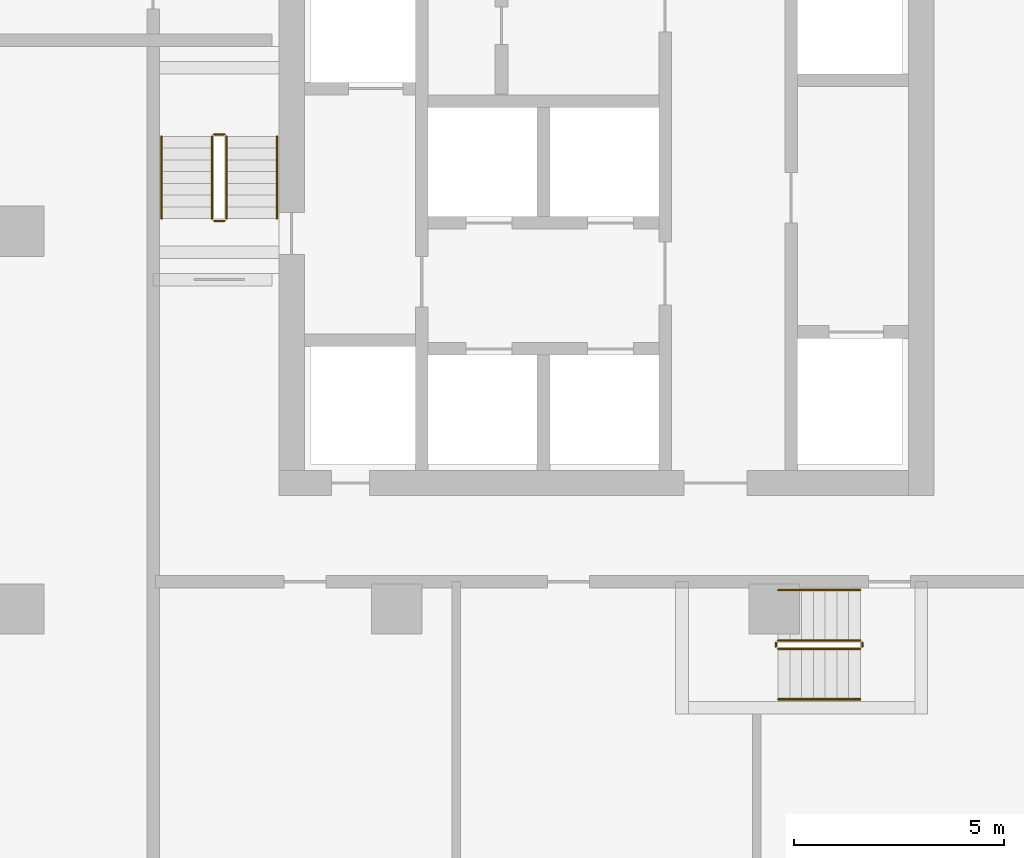
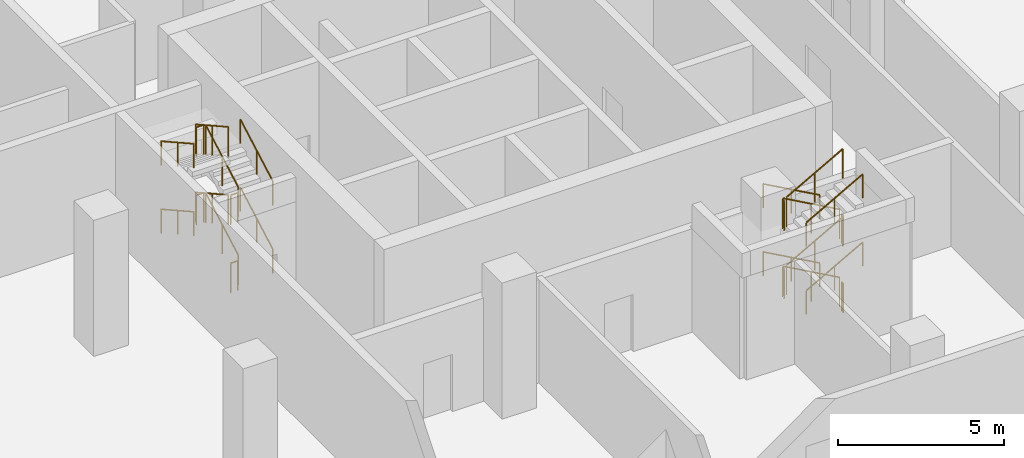
# One storey, part 32 of 33: 24 railings.
"""IFC4 building model written with IfcOpenShell, lengths in metres."""

from ifc_helpers import new_model, si_unit, direction, frame, origin, origin_2d, place, context, subcontext, project, spatial, circle, extrude, material, type_object, element, save


model = new_model("IFC4")

# Units and contexts
model_context = context("Model", 3, precision=1e-05, world=origin(), true_north=direction((0.0, 1.0)))
body_context = subcontext(model_context, "Body", "Model", "MODEL_VIEW")
ifc_project = project(units=[si_unit("LENGTHUNIT", "METRE"), si_unit("AREAUNIT", "SQUARE_METRE"), si_unit("VOLUMEUNIT", "CUBIC_METRE"), si_unit("PLANEANGLEUNIT", "RADIAN"), si_unit("MASSUNIT", "GRAM", prefix="KILO")], contexts=[model_context])

# Site, building, storey
site_placement = place(None, origin())
site = spatial("IfcSite", under=ifc_project, at=site_placement, CompositionType="ELEMENT")
building_placement = place(site_placement, origin())
building = spatial("IfcBuilding", under=site, at=building_placement, Name="Ogive Portal Towers", CompositionType="ELEMENT")
storey_placement = place(building_placement, frame((0.0, 0.0, 28.5)))
storey = spatial("IfcBuildingStorey", under=building, at=storey_placement, Name="L05", CompositionType="ELEMENT", Elevation=28.5)

# Railings
ifc_material_1 = material(Name="Stainless steel balustrade", Category="steel")
railing_type_1 = type_object("IfcRailingType", Name="INT-GUARD", PredefinedType="GUARDRAIL", material=ifc_material_1)
railing_1_placement = place(storey_placement, frame((127.449951171875, 30.800048828125, 0.15625)))
element("IfcRailing", 1, at=railing_1_placement, inside=storey, type_object=railing_type_1, Name="L05 ST-B1 stair guard 1", PredefinedType="GUARDRAIL", context=body_context, shape_type="SweptSolid", body=[
    extrude(circle(Radius=0.02392578125, at=origin_2d()), frame((0.0, 0.0, 1.076171875), z_axis=(0.0, 0.873232148454, 0.487304437602), x_axis=(-1.0, 0.0, 0.0)), (0.0, 0.0, 1.0), 2.244384765625),
    extrude(circle(Radius=0.02099609375, at=origin_2d()), origin(), (0.0, 0.0, 1.0), 1.052001953125),
    extrude(circle(Radius=0.02099609375, at=origin_2d()), frame((0.0, 0.97998046875, 0.546875)), (0.0, 0.0, 1.0), 1.052001953125),
    extrude(circle(Radius=0.02099609375, at=origin_2d()), frame((0.0, 1.9599609375, 1.09375)), (0.0, 0.0, 1.0), 1.052001953125),
])
railing_2_placement = place(storey_placement, frame((127.39990234375, 32.81005859375, 1.25)))
element("IfcRailing", 2, at=railing_2_placement, inside=storey, type_object=railing_type_1, Name="L05 ST-B1 stair guard 2", PredefinedType="GUARDRAIL", context=body_context, shape_type="SweptSolid", body=[
    extrude(circle(Radius=0.02392578125, at=origin_2d()), frame((0.0, 0.0, 1.076171875), z_axis=(-1.0, 0.0, 0.0), x_axis=(0.0, -1.0, 0.0)), (0.0, 0.0, 1.0), 0.25),
    extrude(circle(Radius=0.02099609375, at=origin_2d()), origin(), (0.0, 0.0, 1.0), 1.052001953125),
    extrude(circle(Radius=0.02099609375, at=origin_2d()), frame((-0.25, 0.0, 0.0)), (0.0, 0.0, 1.0), 1.052001953125),
])
railing_3_placement = place(storey_placement, frame((127.10009765625, 32.760009765625, 1.40625)))
element("IfcRailing", 3, at=railing_3_placement, inside=storey, type_object=railing_type_1, Name="L05 ST-B1 stair guard 3", PredefinedType="GUARDRAIL", context=body_context, shape_type="SweptSolid", body=[
    extrude(circle(Radius=0.02392578125, at=origin_2d()), frame((0.0, 0.0, 1.076171875), z_axis=(0.0, -0.873232148454, 0.487304437602), x_axis=(1.0, 0.0, 0.0)), (0.0, 0.0, 1.0), 2.244384765625),
    extrude(circle(Radius=0.02099609375, at=origin_2d()), origin(), (0.0, 0.0, 1.0), 1.052001953125),
    extrude(circle(Radius=0.02099609375, at=origin_2d()), frame((0.0, -0.97998046875, 0.546875)), (0.0, 0.0, 1.0), 1.052001953125),
    extrude(circle(Radius=0.02099609375, at=origin_2d()), frame((0.0, -1.9599609375, 1.09375)), (0.0, 0.0, 1.0), 1.052001953125),
])
railing_4_placement = place(storey_placement, frame((127.39990234375, 30.75, 2.5)))
element("IfcRailing", 4, at=railing_4_placement, inside=storey, type_object=railing_type_1, Name="L05 ST-B1 stair guard 4", PredefinedType="GUARDRAIL", context=body_context, shape_type="SweptSolid", body=[
    extrude(circle(Radius=0.02392578125, at=origin_2d()), frame((0.0, 0.0, 1.076171875), z_axis=(-1.0, 0.0, 0.0), x_axis=(0.0, -1.0, 0.0)), (0.0, 0.0, 1.0), 0.25),
    extrude(circle(Radius=0.02099609375, at=origin_2d()), origin(), (0.0, 0.0, 1.0), 1.052001953125),
    extrude(circle(Radius=0.02099609375, at=origin_2d()), frame((-0.25, 0.0, 0.0)), (0.0, 0.0, 1.0), 1.052001953125),
])
railing_5_placement = place(storey_placement, frame((127.449951171875, 30.800048828125, 2.65625)))
element("IfcRailing", 5, at=railing_5_placement, inside=storey, type_object=railing_type_1, Name="L05 ST-B1 stair guard 5", PredefinedType="GUARDRAIL", context=body_context, shape_type="SweptSolid", body=[
    extrude(circle(Radius=0.02392578125, at=origin_2d()), frame((0.0, 0.0, 1.076171875), z_axis=(0.0, 0.873232148454, 0.487304437602), x_axis=(-1.0, 0.0, 0.0)), (0.0, 0.0, 1.0), 2.244384765625),
    extrude(circle(Radius=0.02099609375, at=origin_2d()), origin(), (0.0, 0.0, 1.0), 1.052001953125),
    extrude(circle(Radius=0.02099609375, at=origin_2d()), frame((0.0, 0.97998046875, 0.546875)), (0.0, 0.0, 1.0), 1.052001953125),
    extrude(circle(Radius=0.02099609375, at=origin_2d()), frame((0.0, 1.9599609375, 1.09375)), (0.0, 0.0, 1.0), 1.052001953125),
])
railing_6_placement = place(storey_placement, frame((127.39990234375, 32.81005859375, 3.75)))
element("IfcRailing", 6, at=railing_6_placement, inside=storey, type_object=railing_type_1, Name="L05 ST-B1 stair guard 6", PredefinedType="GUARDRAIL", context=body_context, shape_type="SweptSolid", body=[
    extrude(circle(Radius=0.02392578125, at=origin_2d()), frame((0.0, 0.0, 1.076171875), z_axis=(-1.0, 0.0, 0.0), x_axis=(0.0, -1.0, 0.0)), (0.0, 0.0, 1.0), 0.25),
    extrude(circle(Radius=0.02099609375, at=origin_2d()), origin(), (0.0, 0.0, 1.0), 1.052001953125),
    extrude(circle(Radius=0.02099609375, at=origin_2d()), frame((-0.25, 0.0, 0.0)), (0.0, 0.0, 1.0), 1.052001953125),
])
railing_7_placement = place(storey_placement, frame((127.10009765625, 32.760009765625, 3.90625)))
element("IfcRailing", 7, at=railing_7_placement, inside=storey, type_object=railing_type_1, Name="L05 ST-B1 stair guard 7", PredefinedType="GUARDRAIL", context=body_context, shape_type="SweptSolid", body=[
    extrude(circle(Radius=0.02392578125, at=origin_2d()), frame((0.0, 0.0, 1.076171875), z_axis=(0.0, -0.873232148454, 0.487304437602), x_axis=(1.0, 0.0, 0.0)), (0.0, 0.0, 1.0), 2.244384765625),
    extrude(circle(Radius=0.02099609375, at=origin_2d()), origin(), (0.0, 0.0, 1.0), 1.052001953125),
    extrude(circle(Radius=0.02099609375, at=origin_2d()), frame((0.0, -0.97998046875, 0.546875)), (0.0, 0.0, 1.0), 1.052001953125),
    extrude(circle(Radius=0.02099609375, at=origin_2d()), frame((0.0, -1.9599609375, 1.09375)), (0.0, 0.0, 1.0), 1.052001953125),
])
railing_8_placement = place(storey_placement, frame((127.39990234375, 30.75, 0.0)))
element("IfcRailing", 8, at=railing_8_placement, inside=storey, type_object=railing_type_1, Name="L05 ST-B1 stair guard 8", PredefinedType="GUARDRAIL", context=body_context, shape_type="SweptSolid", body=[
    extrude(circle(Radius=0.02392578125, at=origin_2d()), frame((0.0, 0.0, 1.076171875), z_axis=(-1.0, 0.0, 0.0), x_axis=(0.0, -1.0, 0.0)), (0.0, 0.0, 1.0), 0.25),
    extrude(circle(Radius=0.02099609375, at=origin_2d()), origin(), (0.0, 0.0, 1.0), 1.052001953125),
    extrude(circle(Radius=0.02099609375, at=origin_2d()), frame((-0.25, 0.0, 0.0)), (0.0, 0.0, 1.0), 1.052001953125),
])
railing_9_placement = place(storey_placement, frame((142.550048828125, 20.75, 0.15625)))
element("IfcRailing", 9, at=railing_9_placement, inside=storey, type_object=railing_type_1, Name="L05 ST-B2 stair guard 1", PredefinedType="GUARDRAIL", context=body_context, shape_type="SweptSolid", body=[
    extrude(circle(Radius=0.02392578125, at=origin_2d()), frame((0.0, 0.0, 1.076171875), z_axis=(-0.873232148454, 0.0, 0.487304437602), x_axis=(0.0, -1.0, 0.0)), (0.0, 0.0, 1.0), 2.244384765625),
    extrude(circle(Radius=0.02099609375, at=origin_2d()), origin(), (0.0, 0.0, 1.0), 1.052001953125),
    extrude(circle(Radius=0.02099609375, at=origin_2d()), frame((-0.97998046875, 0.0, 0.546875)), (0.0, 0.0, 1.0), 1.052001953125),
    extrude(circle(Radius=0.02099609375, at=origin_2d()), frame((-1.9599609375, 0.0, 1.09375)), (0.0, 0.0, 1.0), 1.052001953125),
])
railing_10_placement = place(storey_placement, frame((140.5400390625, 20.699951171875, 1.25)))
element("IfcRailing", 10, at=railing_10_placement, inside=storey, type_object=railing_type_1, Name="L05 ST-B2 stair guard 2", PredefinedType="GUARDRAIL", context=body_context, shape_type="SweptSolid", body=[
    extrude(circle(Radius=0.02392578125, at=origin_2d()), frame((0.0, 0.0, 1.076171875), z_axis=(0.0, -1.0, 0.0), x_axis=(1.0, 0.0, 0.0)), (0.0, 0.0, 1.0), 0.099853515625),
    extrude(circle(Radius=0.02099609375, at=origin_2d()), origin(), (0.0, 0.0, 1.0), 1.052001953125),
    extrude(circle(Radius=0.02099609375, at=origin_2d()), frame((0.0, -0.099853515625, 0.0)), (0.0, 0.0, 1.0), 1.052001953125),
])
railing_11_placement = place(storey_placement, frame((140.590087890625, 20.550048828125, 1.40625)))
element("IfcRailing", 11, at=railing_11_placement, inside=storey, type_object=railing_type_1, Name="L05 ST-B2 stair guard 3", PredefinedType="GUARDRAIL", context=body_context, shape_type="SweptSolid", body=[
    extrude(circle(Radius=0.02392578125, at=origin_2d()), frame((0.0, 0.0, 1.076171875), z_axis=(0.873232148454, 0.0, 0.487304437602), x_axis=(0.0, 1.0, 0.0)), (0.0, 0.0, 1.0), 2.244384765625),
    extrude(circle(Radius=0.02099609375, at=origin_2d()), origin(), (0.0, 0.0, 1.0), 1.052001953125),
    extrude(circle(Radius=0.02099609375, at=origin_2d()), frame((0.97998046875, 0.0, 0.546875)), (0.0, 0.0, 1.0), 1.052001953125),
    extrude(circle(Radius=0.02099609375, at=origin_2d()), frame((1.9599609375, 0.0, 1.09375)), (0.0, 0.0, 1.0), 1.052001953125),
])
railing_12_placement = place(storey_placement, frame((142.60009765625, 20.699951171875, 2.5)))
element("IfcRailing", 12, at=railing_12_placement, inside=storey, type_object=railing_type_1, Name="L05 ST-B2 stair guard 4", PredefinedType="GUARDRAIL", context=body_context, shape_type="SweptSolid", body=[
    extrude(circle(Radius=0.02392578125, at=origin_2d()), frame((0.0, 0.0, 1.076171875), z_axis=(0.0, -1.0, 0.0), x_axis=(1.0, 0.0, 0.0)), (0.0, 0.0, 1.0), 0.099853515625),
    extrude(circle(Radius=0.02099609375, at=origin_2d()), origin(), (0.0, 0.0, 1.0), 1.052001953125),
    extrude(circle(Radius=0.02099609375, at=origin_2d()), frame((0.0, -0.099853515625, 0.0)), (0.0, 0.0, 1.0), 1.052001953125),
])
railing_13_placement = place(storey_placement, frame((142.550048828125, 20.75, 2.65625)))
element("IfcRailing", 13, at=railing_13_placement, inside=storey, type_object=railing_type_1, Name="L05 ST-B2 stair guard 5", PredefinedType="GUARDRAIL", context=body_context, shape_type="SweptSolid", body=[
    extrude(circle(Radius=0.02392578125, at=origin_2d()), frame((0.0, 0.0, 1.076171875), z_axis=(-0.873232148454, 0.0, 0.487304437602), x_axis=(0.0, -1.0, 0.0)), (0.0, 0.0, 1.0), 2.244384765625),
    extrude(circle(Radius=0.02099609375, at=origin_2d()), origin(), (0.0, 0.0, 1.0), 1.052001953125),
    extrude(circle(Radius=0.02099609375, at=origin_2d()), frame((-0.97998046875, 0.0, 0.546875)), (0.0, 0.0, 1.0), 1.052001953125),
    extrude(circle(Radius=0.02099609375, at=origin_2d()), frame((-1.9599609375, 0.0, 1.09375)), (0.0, 0.0, 1.0), 1.052001953125),
])
railing_14_placement = place(storey_placement, frame((140.5400390625, 20.699951171875, 3.75)))
element("IfcRailing", 14, at=railing_14_placement, inside=storey, type_object=railing_type_1, Name="L05 ST-B2 stair guard 6", PredefinedType="GUARDRAIL", context=body_context, shape_type="SweptSolid", body=[
    extrude(circle(Radius=0.02392578125, at=origin_2d()), frame((0.0, 0.0, 1.076171875), z_axis=(0.0, -1.0, 0.0), x_axis=(1.0, 0.0, 0.0)), (0.0, 0.0, 1.0), 0.099853515625),
    extrude(circle(Radius=0.02099609375, at=origin_2d()), origin(), (0.0, 0.0, 1.0), 1.052001953125),
    extrude(circle(Radius=0.02099609375, at=origin_2d()), frame((0.0, -0.099853515625, 0.0)), (0.0, 0.0, 1.0), 1.052001953125),
])
railing_15_placement = place(storey_placement, frame((140.590087890625, 20.550048828125, 3.90625)))
element("IfcRailing", 15, at=railing_15_placement, inside=storey, type_object=railing_type_1, Name="L05 ST-B2 stair guard 7", PredefinedType="GUARDRAIL", context=body_context, shape_type="SweptSolid", body=[
    extrude(circle(Radius=0.02392578125, at=origin_2d()), frame((0.0, 0.0, 1.076171875), z_axis=(0.873232148454, 0.0, 0.487304437602), x_axis=(0.0, 1.0, 0.0)), (0.0, 0.0, 1.0), 2.244384765625),
    extrude(circle(Radius=0.02099609375, at=origin_2d()), origin(), (0.0, 0.0, 1.0), 1.052001953125),
    extrude(circle(Radius=0.02099609375, at=origin_2d()), frame((0.97998046875, 0.0, 0.546875)), (0.0, 0.0, 1.0), 1.052001953125),
    extrude(circle(Radius=0.02099609375, at=origin_2d()), frame((1.9599609375, 0.0, 1.09375)), (0.0, 0.0, 1.0), 1.052001953125),
])
railing_16_placement = place(storey_placement, frame((142.60009765625, 20.699951171875, 0.0)))
element("IfcRailing", 16, at=railing_16_placement, inside=storey, type_object=railing_type_1, Name="L05 ST-B2 stair guard 8", PredefinedType="GUARDRAIL", context=body_context, shape_type="SweptSolid", body=[
    extrude(circle(Radius=0.02392578125, at=origin_2d()), frame((0.0, 0.0, 1.076171875), z_axis=(0.0, -1.0, 0.0), x_axis=(1.0, 0.0, 0.0)), (0.0, 0.0, 1.0), 0.099853515625),
    extrude(circle(Radius=0.02099609375, at=origin_2d()), origin(), (0.0, 0.0, 1.0), 1.052001953125),
    extrude(circle(Radius=0.02099609375, at=origin_2d()), frame((0.0, -0.099853515625, 0.0)), (0.0, 0.0, 1.0), 1.052001953125),
])
ifc_material_2 = material(Name="Stainless steel handrail", Category="steel")
railing_type_2 = type_object("IfcRailingType", Name="INT-HANDRAIL", PredefinedType="HANDRAIL", material=ifc_material_2)
railing_17_placement = place(storey_placement, frame((128.64990234375, 30.800048828125, 0.15625)))
element("IfcRailing", 17, at=railing_17_placement, inside=storey, type_object=railing_type_2, Name="L05 ST-B1 stair handrail 1", PredefinedType="HANDRAIL", context=body_context, shape_type="SweptSolid", body=[
    extrude(circle(Radius=0.02392578125, at=origin_2d()), frame((0.0, 0.0, 0.8759765625), z_axis=(0.0, 0.873232148454, 0.487304437602), x_axis=(-1.0, 0.0, 0.0)), (0.0, 0.0, 1.0), 2.244384765625),
    extrude(circle(Radius=0.02099609375, at=origin_2d()), origin(), (0.0, 0.0, 1.0), 0.851806640625),
    extrude(circle(Radius=0.02099609375, at=origin_2d()), frame((0.0, 0.97998046875, 0.546875)), (0.0, 0.0, 1.0), 0.851806640625),
    extrude(circle(Radius=0.02099609375, at=origin_2d()), frame((0.0, 1.9599609375, 1.09375)), (0.0, 0.0, 1.0), 0.851806640625),
])
railing_18_placement = place(storey_placement, frame((125.89990234375, 32.760009765625, 1.40625)))
element("IfcRailing", 18, at=railing_18_placement, inside=storey, type_object=railing_type_2, Name="L05 ST-B1 stair handrail 2", PredefinedType="HANDRAIL", context=body_context, shape_type="SweptSolid", body=[
    extrude(circle(Radius=0.02392578125, at=origin_2d()), frame((0.0, 0.0, 0.8759765625), z_axis=(0.0, -0.873232148454, 0.487304437602), x_axis=(1.0, 0.0, 0.0)), (0.0, 0.0, 1.0), 2.244384765625),
    extrude(circle(Radius=0.02099609375, at=origin_2d()), origin(), (0.0, 0.0, 1.0), 0.851806640625),
    extrude(circle(Radius=0.02099609375, at=origin_2d()), frame((0.0, -0.97998046875, 0.546875)), (0.0, 0.0, 1.0), 0.851806640625),
    extrude(circle(Radius=0.02099609375, at=origin_2d()), frame((0.0, -1.9599609375, 1.09375)), (0.0, 0.0, 1.0), 0.851806640625),
])
railing_19_placement = place(storey_placement, frame((128.64990234375, 30.800048828125, 2.65625)))
element("IfcRailing", 19, at=railing_19_placement, inside=storey, type_object=railing_type_2, Name="L05 ST-B1 stair handrail 3", PredefinedType="HANDRAIL", context=body_context, shape_type="SweptSolid", body=[
    extrude(circle(Radius=0.02392578125, at=origin_2d()), frame((0.0, 0.0, 0.8759765625), z_axis=(0.0, 0.873232148454, 0.487304437602), x_axis=(-1.0, 0.0, 0.0)), (0.0, 0.0, 1.0), 2.244384765625),
    extrude(circle(Radius=0.02099609375, at=origin_2d()), origin(), (0.0, 0.0, 1.0), 0.851806640625),
    extrude(circle(Radius=0.02099609375, at=origin_2d()), frame((0.0, 0.97998046875, 0.546875)), (0.0, 0.0, 1.0), 0.851806640625),
    extrude(circle(Radius=0.02099609375, at=origin_2d()), frame((0.0, 1.9599609375, 1.09375)), (0.0, 0.0, 1.0), 0.851806640625),
])
railing_20_placement = place(storey_placement, frame((125.89990234375, 32.760009765625, 3.90625)))
element("IfcRailing", 20, at=railing_20_placement, inside=storey, type_object=railing_type_2, Name="L05 ST-B1 stair handrail 4", PredefinedType="HANDRAIL", context=body_context, shape_type="SweptSolid", body=[
    extrude(circle(Radius=0.02392578125, at=origin_2d()), frame((0.0, 0.0, 0.8759765625), z_axis=(0.0, -0.873232148454, 0.487304437602), x_axis=(1.0, 0.0, 0.0)), (0.0, 0.0, 1.0), 2.244384765625),
    extrude(circle(Radius=0.02099609375, at=origin_2d()), origin(), (0.0, 0.0, 1.0), 0.851806640625),
    extrude(circle(Radius=0.02099609375, at=origin_2d()), frame((0.0, -0.97998046875, 0.546875)), (0.0, 0.0, 1.0), 0.851806640625),
    extrude(circle(Radius=0.02099609375, at=origin_2d()), frame((0.0, -1.9599609375, 1.09375)), (0.0, 0.0, 1.0), 0.851806640625),
])
railing_21_placement = place(storey_placement, frame((142.550048828125, 21.949951171875, 0.15625)))
element("IfcRailing", 21, at=railing_21_placement, inside=storey, type_object=railing_type_2, Name="L05 ST-B2 stair handrail 1", PredefinedType="HANDRAIL", context=body_context, shape_type="SweptSolid", body=[
    extrude(circle(Radius=0.02392578125, at=origin_2d()), frame((0.0, 0.0, 0.8759765625), z_axis=(-0.873232148454, 0.0, 0.487304437602), x_axis=(0.0, -1.0, 0.0)), (0.0, 0.0, 1.0), 2.244384765625),
    extrude(circle(Radius=0.02099609375, at=origin_2d()), origin(), (0.0, 0.0, 1.0), 0.851806640625),
    extrude(circle(Radius=0.02099609375, at=origin_2d()), frame((-0.97998046875, 0.0, 0.546875)), (0.0, 0.0, 1.0), 0.851806640625),
    extrude(circle(Radius=0.02099609375, at=origin_2d()), frame((-1.9599609375, 0.0, 1.09375)), (0.0, 0.0, 1.0), 0.851806640625),
])
railing_22_placement = place(storey_placement, frame((140.590087890625, 19.35009765625, 1.40625)))
element("IfcRailing", 22, at=railing_22_placement, inside=storey, type_object=railing_type_2, Name="L05 ST-B2 stair handrail 2", PredefinedType="HANDRAIL", context=body_context, shape_type="SweptSolid", body=[
    extrude(circle(Radius=0.02392578125, at=origin_2d()), frame((0.0, 0.0, 0.8759765625), z_axis=(0.873232148454, 0.0, 0.487304437602), x_axis=(0.0, 1.0, 0.0)), (0.0, 0.0, 1.0), 2.244384765625),
    extrude(circle(Radius=0.02099609375, at=origin_2d()), origin(), (0.0, 0.0, 1.0), 0.851806640625),
    extrude(circle(Radius=0.02099609375, at=origin_2d()), frame((0.97998046875, 0.0, 0.546875)), (0.0, 0.0, 1.0), 0.851806640625),
    extrude(circle(Radius=0.02099609375, at=origin_2d()), frame((1.9599609375, 0.0, 1.09375)), (0.0, 0.0, 1.0), 0.851806640625),
])
railing_23_placement = place(storey_placement, frame((142.550048828125, 21.949951171875, 2.65625)))
element("IfcRailing", 23, at=railing_23_placement, inside=storey, type_object=railing_type_2, Name="L05 ST-B2 stair handrail 3", PredefinedType="HANDRAIL", context=body_context, shape_type="SweptSolid", body=[
    extrude(circle(Radius=0.02392578125, at=origin_2d()), frame((0.0, 0.0, 0.8759765625), z_axis=(-0.873232148454, 0.0, 0.487304437602), x_axis=(0.0, -1.0, 0.0)), (0.0, 0.0, 1.0), 2.244384765625),
    extrude(circle(Radius=0.02099609375, at=origin_2d()), origin(), (0.0, 0.0, 1.0), 0.851806640625),
    extrude(circle(Radius=0.02099609375, at=origin_2d()), frame((-0.97998046875, 0.0, 0.546875)), (0.0, 0.0, 1.0), 0.851806640625),
    extrude(circle(Radius=0.02099609375, at=origin_2d()), frame((-1.9599609375, 0.0, 1.09375)), (0.0, 0.0, 1.0), 0.851806640625),
])
railing_24_placement = place(storey_placement, frame((140.590087890625, 19.35009765625, 3.90625)))
element("IfcRailing", 24, at=railing_24_placement, inside=storey, type_object=railing_type_2, Name="L05 ST-B2 stair handrail 4", PredefinedType="HANDRAIL", context=body_context, shape_type="SweptSolid", body=[
    extrude(circle(Radius=0.02392578125, at=origin_2d()), frame((0.0, 0.0, 0.8759765625), z_axis=(0.873232148454, 0.0, 0.487304437602), x_axis=(0.0, 1.0, 0.0)), (0.0, 0.0, 1.0), 2.244384765625),
    extrude(circle(Radius=0.02099609375, at=origin_2d()), origin(), (0.0, 0.0, 1.0), 0.851806640625),
    extrude(circle(Radius=0.02099609375, at=origin_2d()), frame((0.97998046875, 0.0, 0.546875)), (0.0, 0.0, 1.0), 0.851806640625),
    extrude(circle(Radius=0.02099609375, at=origin_2d()), frame((1.9599609375, 0.0, 1.09375)), (0.0, 0.0, 1.0), 0.851806640625),
])

save(model, "model.ifc")
